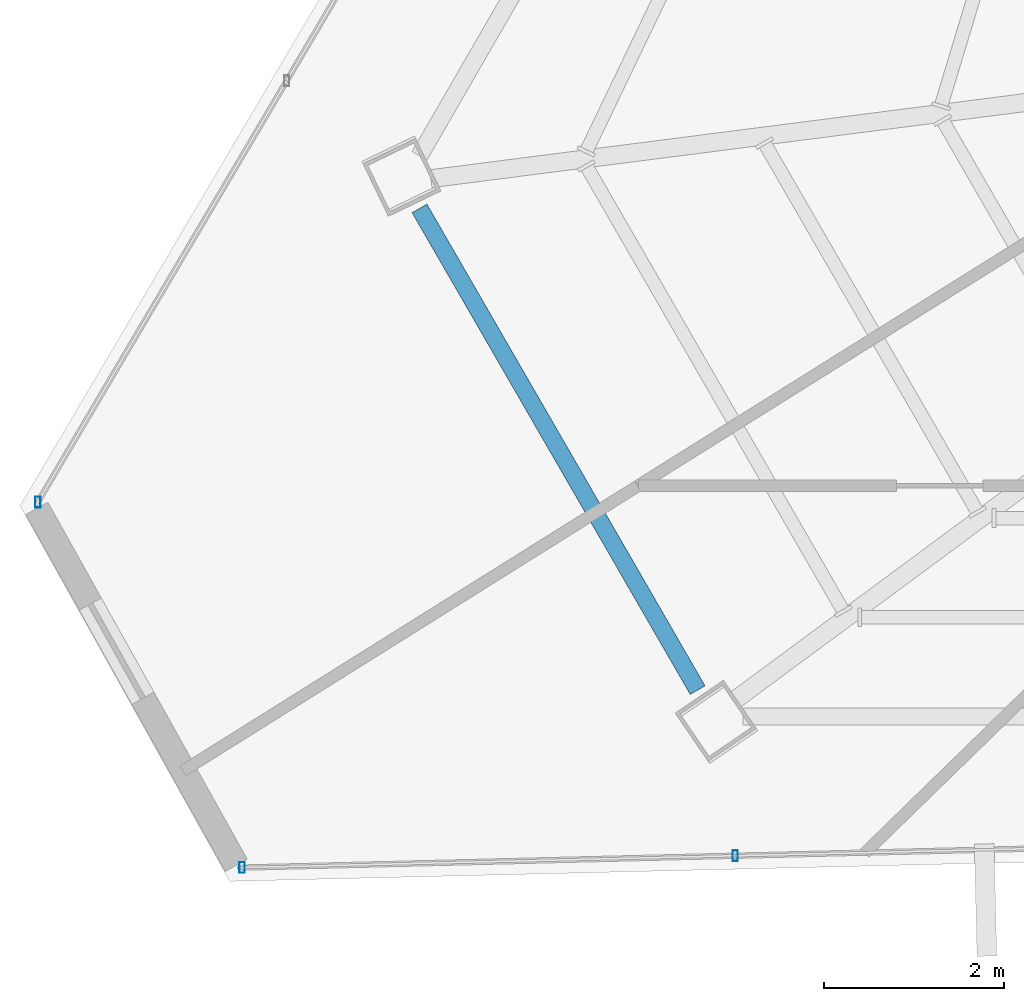
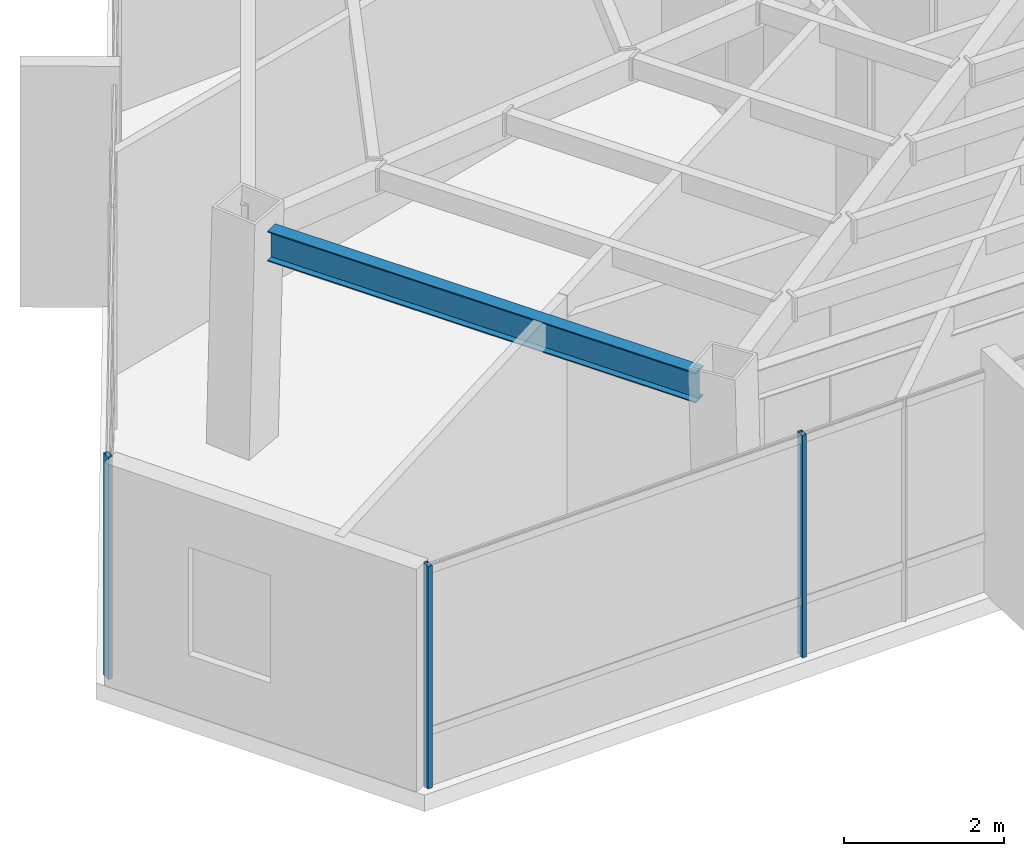
# One storey, part 3 of 48: 3 members, 1 beam, 2 elements without a shape of their own.
"""IFC4 building model written with IfcOpenShell, lengths in metres."""

from ifc_helpers import new_model, si_unit, direction, frame, origin, origin_2d, place, context, subcontext, project, spatial, hollow_rectangle, i_section, extrude, source, transform, mapped, material, material_profile, profile_set, type_object, type_shapes, element, aggregate, save


model = new_model("IFC4")

# Units and contexts
model_context = context("Model", 3, precision=1e-05, world=origin(), true_north=direction((0.0, 1.0)))
body_context = subcontext(model_context, "Body", "Model", "MODEL_VIEW")
ifc_project = project(units=[si_unit("LENGTHUNIT", "METRE"), si_unit("AREAUNIT", "SQUARE_METRE"), si_unit("VOLUMEUNIT", "CUBIC_METRE"), si_unit("PLANEANGLEUNIT", "RADIAN"), si_unit("MASSUNIT", "GRAM", prefix="KILO")], contexts=[model_context])

# Site, building, storey
site_placement = place(None, origin())
site = spatial("IfcSite", under=ifc_project, at=site_placement, CompositionType="ELEMENT")
building_placement = place(site_placement, origin())
building = spatial("IfcBuilding", under=site, at=building_placement, Name="Caelisora Broadcast Tower", CompositionType="ELEMENT")
storey_placement = place(building_placement, frame((0.0, 0.0, 270.0)))
storey = spatial("IfcBuildingStorey", under=building, at=storey_placement, Name="L71", CompositionType="ELEMENT", Elevation=270.0)

# Beam
ifc_material_1 = material(Name="Steel Grade 350 (AS/NZS 3679.1)", Category="steel")
ifc_material_profile_1 = material_profile(ifc_material_1, i_section(OverallWidth=0.19091796875, OverallDepth=0.46044921875, WebThickness=0.010009765625, FlangeThickness=0.01611328125, at=origin_2d()), Name="Steel Grade 350 (AS/NZS 3679.1)")
ifc_profile_set_1 = profile_set([ifc_material_profile_1], Name="Steel Grade 350 (AS/NZS 3679.1)")
beam_type = type_object("IfcBeamType", Name="PG06", PredefinedType="BEAM", material=ifc_profile_set_1)
shared_shape_1 = source(origin(), body_context, "Body", "SweptSolid", [
    extrude(i_section(OverallWidth=0.19091796875, OverallDepth=0.46044921875, WebThickness=0.010009765625, FlangeThickness=0.01611328125, at=origin_2d()), origin(), (0.0, 0.0, 1.0), 6.19189453125),
])
type_shapes(beam_type, [shared_shape_1])
beam_placement = place(storey_placement, frame((16.788818359375, 15.32861328125, 3.169921875), z_axis=(0.500002326941, -0.86602406032, 0.0), x_axis=(0.86602406032, 0.500002326941, 0.0)))
element("IfcBeam", 1, at=beam_placement, inside=storey, type_object=beam_type, Name="L71 beam PG06", PredefinedType="BEAM", context=body_context, shape_type="MappedRepresentation", body=[
    mapped(shared_shape_1, transform((0.0, 0.0, 0.0), scale=1.0)),
])

# Curtain wall, members
ifc_material_2 = material(Name="Unitised Aluminium and Low-E Glass Curtain Wall", Category="glass")
curtain_wall_type = type_object("IfcCurtainWallType", Name="CW-Z5", PredefinedType="NOTDEFINED", material=ifc_material_2)
curtain_wall_1_placement = place(storey_placement, origin())
curtain_wall_1 = element("IfcCurtainWall", 2, at=curtain_wall_1_placement, inside=storey, type_object=curtain_wall_type, Name="L71 curtain wall CW-Z5", PredefinedType="NOTDEFINED")
ifc_material_3 = material(Name="Aluminium 6063-T6 Anodised Terracotta Bronze", Category="aluminium")
ifc_material_profile_2 = material_profile(ifc_material_3, hollow_rectangle(XDim=0.06005859375, YDim=0.1201171875, WallThickness=0.0029296875, at=origin_2d()), Name="Aluminium 6063-T6 Anodised Terracotta Bronze")
ifc_profile_set_2 = profile_set([ifc_material_profile_2], Name="Aluminium 6063-T6 Anodised Terracotta Bronze")
member_type = type_object("IfcMemberType", Name="CWM-04", PredefinedType="MULLION", material=ifc_profile_set_2)
shared_shape_2 = source(origin(), body_context, "Body", "SweptSolid", [
    extrude(hollow_rectangle(XDim=0.06005859375, YDim=0.1201171875, WallThickness=0.0029296875, at=origin_2d()), origin(), (0.0, 0.0, 1.0), 3.39990234375),
])
type_shapes(member_type, [shared_shape_2])
member_1_placement = place(storey_placement, frame((20.3037109375, 8.123046875, 0.0), z_axis=(0.0, 0.0, 1.0), x_axis=(1.0, 0.0, 0.0)))
member_1 = element("IfcMember", 3, at=member_1_placement, type_object=member_type, Name="L71-CW-B07 mullion #2", PredefinedType="MULLION", context=body_context, shape_type="MappedRepresentation", body=[
    mapped(shared_shape_2, transform((0.0, 0.0, 0.0), scale=1.0)),
])
member_2_placement = place(storey_placement, frame((14.81396484375, 7.9912109375, 0.0), z_axis=(0.0, 0.0, 1.0), x_axis=(1.0, 0.0, 0.0)))
member_2 = element("IfcMember", 4, at=member_2_placement, type_object=member_type, Name="L71-CW-B07 mullion #3", PredefinedType="MULLION", context=body_context, shape_type="MappedRepresentation", body=[
    mapped(shared_shape_2, transform((0.0, 0.0, 0.0), scale=1.0)),
])
aggregate(curtain_wall_1, [member_1, member_2])

# Curtain wall, member
curtain_wall_2_placement = place(storey_placement, origin())
curtain_wall_2 = element("IfcCurtainWall", 5, at=curtain_wall_2_placement, inside=storey, type_object=curtain_wall_type, Name="L71 curtain wall CW-Z5", PredefinedType="NOTDEFINED")
member_3_placement = place(storey_placement, frame((12.540283203125, 12.05908203125, 0.0), z_axis=(0.0, 0.0, 1.0), x_axis=(1.0, 0.0, 0.0)))
member_3 = element("IfcMember", 6, at=member_3_placement, type_object=member_type, Name="L71-CW-B09 mullion #0", PredefinedType="MULLION", context=body_context, shape_type="MappedRepresentation", body=[
    mapped(shared_shape_2, transform((0.0, 0.0, 0.0), scale=1.0)),
])
aggregate(curtain_wall_2, [member_3])

save(model, "model.ifc")
